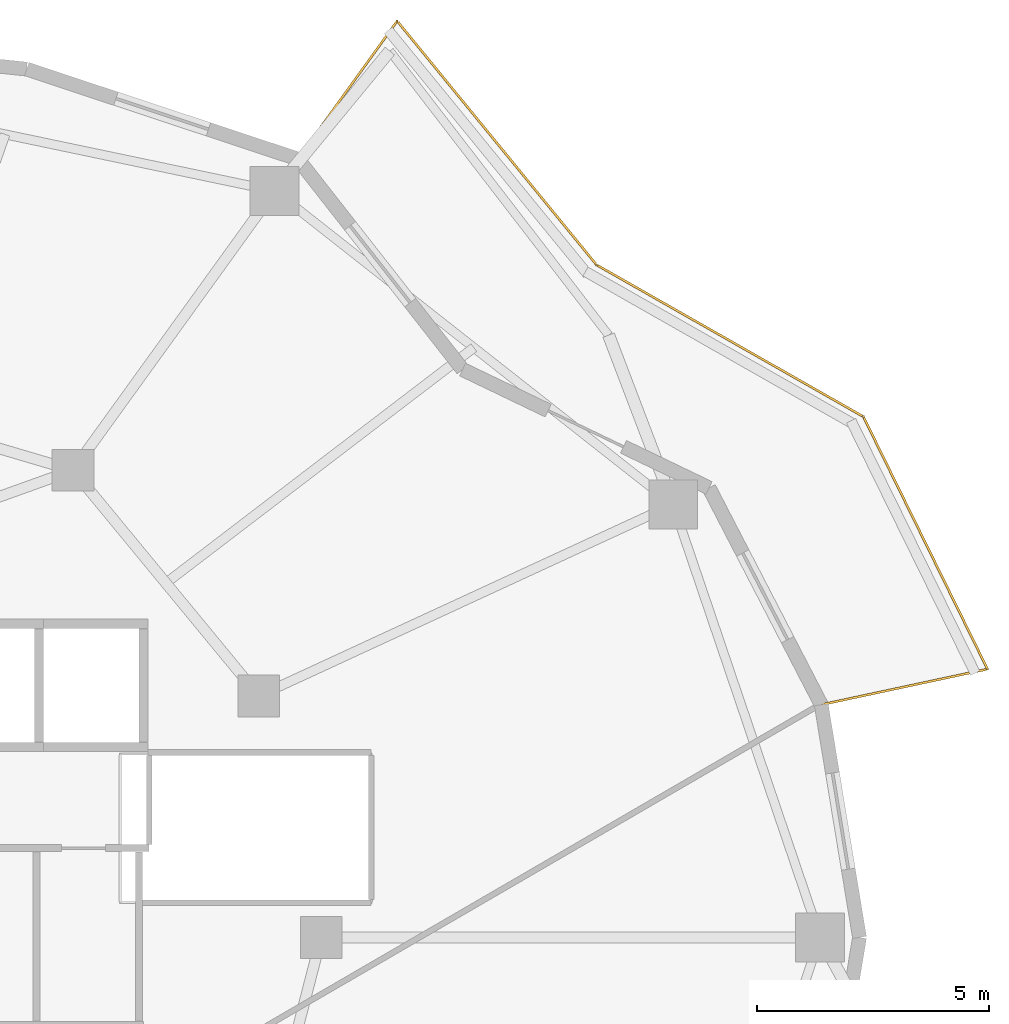
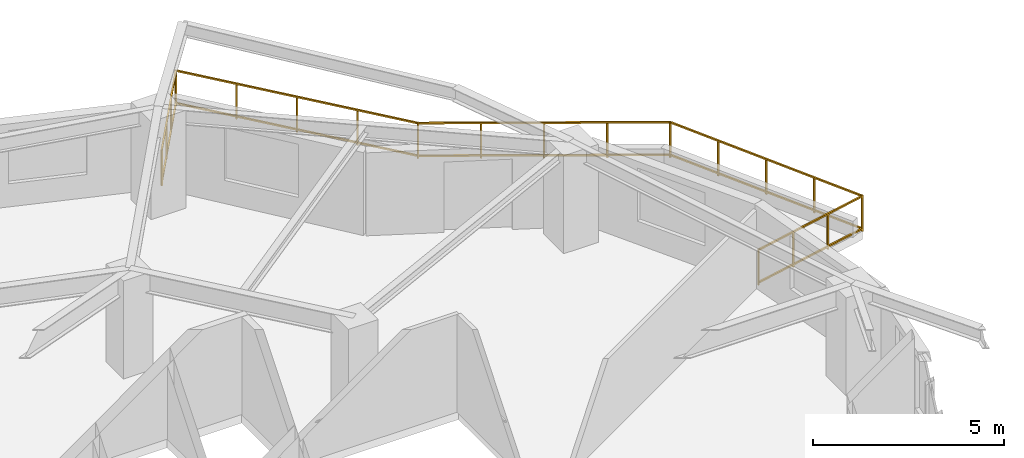
# One storey, part 14 of 14: 1 railing.
"""IFC4 building model written with IfcOpenShell, lengths in metres."""

import ifcopenshell
import ifcopenshell.guid

model = None  # the IFC model being written
_history = None  # IfcOwnerHistory: only IFC2X3 demands one
_inside = {}  # id of a spatial element -> (the spatial element, [elements in it])
_under = {}  # id of a project, library or spatial element -> (it, [spatial elements below it])
_declared = {}  # id of a project -> (the project, [libraries it declares])
_typed = {}  # id of a type object -> (the type object, [elements of that type])
_made_of = {}  # id of a material, layer set ... -> (it, [elements and type objects made of it])


def new_model(schema):
    """Start an empty IFC model of exactly this schema.

    Asked for "IFC4X3", IfcOpenShell would pick the latest addendum, in which some entities
    have other attributes; the version numbers below select the first issue.
    IFC2X3 requires an IfcOwnerHistory on every rooted entity: one is made here for all.
    """
    global model, _history
    if schema == "IFC4X3":
        model = ifcopenshell.file(schema_version=(4, 3, 0, 0))
    else:
        model = ifcopenshell.file(schema=schema)
    _inside.clear()
    _under.clear()
    _declared.clear()
    _typed.clear()
    _made_of.clear()
    _history = None
    if model.schema == "IFC2X3":
        org = make("IfcOrganization", Name="unknown")
        user = make(
            "IfcPersonAndOrganization",
            ThePerson=make("IfcPerson", FamilyName="unknown"),
            TheOrganization=org,
        )
        app = make(
            "IfcApplication",
            ApplicationDeveloper=org,
            Version="unknown",
            ApplicationFullName="unknown",
            ApplicationIdentifier="unknown",
        )
        _history = make(
            "IfcOwnerHistory",
            OwningUser=user,
            OwningApplication=app,
            ChangeAction="ADDED",
            CreationDate=0,
        )
    return model


def make(cls, **values):
    """One entity of the class cls with the attributes given. An attribute that is None is left unset."""
    return model.create_entity(
        cls, **{name: value for name, value in values.items() if value is not None}
    )


def rooted(cls, **values):
    """An entity with a GlobalId (a new one), such as an element, a storey or a relation."""
    return make(cls, GlobalId=ifcopenshell.guid.new(), OwnerHistory=_history, **values)


def si_unit(unit_type, name, prefix=None):
    """IfcSIUnit, for example si_unit("LENGTHUNIT", "METRE", prefix="MILLI")."""
    return make("IfcSIUnit", UnitType=unit_type, Prefix=prefix, Name=name)


def assignment(units):
    """IfcUnitAssignment: the units of a project."""
    return None if units is None else make("IfcUnitAssignment", Units=units)


def point(xyz):
    """IfcCartesianPoint."""
    return None if xyz is None else make("IfcCartesianPoint", Coordinates=xyz)


def direction(xyz):
    """IfcDirection."""
    return None if xyz is None else make("IfcDirection", DirectionRatios=xyz)


def frame(location, z_axis=None, x_axis=None):
    """IfcAxis2Placement3D, a coordinate frame: its origin and axes. An axis left out is left unset."""
    return make(
        "IfcAxis2Placement3D",
        Location=point(location),
        Axis=direction(z_axis),
        RefDirection=direction(x_axis),
    )


def frame_2d(location, x_axis=None):
    """IfcAxis2Placement2D, a coordinate frame in the plane: its origin and x axis."""
    return make(
        "IfcAxis2Placement2D", Location=point(location), RefDirection=direction(x_axis)
    )


def origin():
    """The frame at (0, 0, 0) with its axes left unset."""
    return frame((0.0, 0.0, 0.0))


def origin_2d():
    """The frame at (0, 0) in the plane with its x axis left unset."""
    return frame_2d((0.0, 0.0))


def place(relative_to, where):
    """IfcLocalPlacement: puts the frame where relative to a parent placement (None: the world)."""
    return make(
        "IfcLocalPlacement", PlacementRelTo=relative_to, RelativePlacement=where
    )


def context(
    kind, dimensions, precision=None, world=None, true_north=None, identifier=None
):
    """IfcGeometricRepresentationContext, for example the 3D "Model" context."""
    return make(
        "IfcGeometricRepresentationContext",
        ContextIdentifier=identifier,
        ContextType=kind,
        CoordinateSpaceDimension=dimensions,
        Precision=precision,
        WorldCoordinateSystem=world,
        TrueNorth=true_north,
    )


def subcontext(parent, identifier, kind, view, scale=None):
    """IfcGeometricRepresentationSubContext, for example "Body" below "Model"."""
    return make(
        "IfcGeometricRepresentationSubContext",
        ContextIdentifier=identifier,
        ContextType=kind,
        ParentContext=parent,
        TargetScale=scale,
        TargetView=view,
    )


def project(units=None, contexts=None):
    """IfcProject with its units and contexts."""
    return rooted(
        "IfcProject",
        Name="project",
        RepresentationContexts=contexts,
        UnitsInContext=assignment(units),
    )


def spatial(cls, under=None, at=None, **own):
    """A site, building, storey or space (cls), placed at a placement, below another one or the project."""
    s = rooted(cls, ObjectPlacement=at, **own)
    if under is not None:
        _under.setdefault(under.id(), (under, []))[1].append(s)
    return s


def profile(cls, at=None, kind="AREA", **sizes):
    """A parametric profile (cls). Its sizes go by their IFC names, for example OverallWidth=200.0."""
    return make(cls, ProfileType=kind, Position=at, **sizes)


def rectangle(**sizes):
    """IfcRectangleProfileDef."""
    return profile("IfcRectangleProfileDef", **sizes)


def extrude(swept, where, along, depth):
    """IfcExtrudedAreaSolid: the profile swept, set in the frame where, extruded along a direction by depth."""
    return make(
        "IfcExtrudedAreaSolid",
        SweptArea=swept,
        Position=where,
        ExtrudedDirection=direction(along),
        Depth=depth,
    )


def shape(context_of_items, identifier, shape_type, items):
    """IfcShapeRepresentation: the items that make up one representation, for example the "Body"."""
    return make(
        "IfcShapeRepresentation",
        ContextOfItems=context_of_items,
        RepresentationIdentifier=identifier,
        RepresentationType=shape_type,
        Items=items,
    )


def material(Name=None, Category=None):
    """IfcMaterial."""
    return make("IfcMaterial", Name=Name, Category=Category)


def made_of(thing, what):
    """Note that an element or type object is made of a material, layer set ...; save() writes the relation."""
    if what is not None:
        _made_of.setdefault(what.id(), (what, []))[1].append(thing)
    return thing


def type_object(cls, material=None, **own):
    """A type object (cls), such as IfcWallType, which elements share."""
    return made_of(rooted(cls, **own), material)


def element(
    cls,
    number,
    at=None,
    inside=None,
    cuts=None,
    type_object=None,
    material=None,
    context=None,
    identifier="Body",
    shape_type=None,
    held_by="IfcProductDefinitionShape",
    body=None,
    shapes=None,
    **own,
):
    """One element of the class cls, such as IfcWall. Its Tag is "e" and its number.

    at: its placement. inside: the storey or other place that contains it. cuts: it is an
    opening in that element (IfcRelVoidsElement). A single representation is given by context,
    identifier, shape_type and body (its items); several are given by shapes. held_by: the class
    of the entity that holds the representations. save() writes the other relations.
    """
    e = rooted(cls, Tag="e%d" % number, ObjectPlacement=at, **own)
    if body is not None:
        shapes = [shape(context, identifier, shape_type, body)]
    if shapes is not None:
        e.Representation = make(held_by, Representations=shapes)
    if inside is not None:
        _inside.setdefault(inside.id(), (inside, []))[1].append(e)
    if cuts is not None:
        rooted(
            "IfcRelVoidsElement", RelatingBuildingElement=cuts, RelatedOpeningElement=e
        )
    if type_object is not None:
        _typed.setdefault(type_object.id(), (type_object, []))[1].append(e)
    return made_of(e, material)


def aggregate(whole, parts):
    """IfcRelAggregates: a whole, such as a stair, and the parts it consists of."""
    return rooted("IfcRelAggregates", RelatingObject=whole, RelatedObjects=parts)


def save(model, path):
    """Write the relations noted so far, then the file.

    IfcRelAggregates (storeys below a building ...), IfcRelContainedInSpatialStructure (elements
    in a storey), IfcRelDefinesByType, IfcRelAssociatesMaterial and IfcRelDeclares: one each for
    every whole, place, type object, material and project.
    """
    for whole, parts in _under.values():
        aggregate(whole, parts)
    for where, things in _inside.values():
        rooted(
            "IfcRelContainedInSpatialStructure",
            RelatedElements=things,
            RelatingStructure=where,
        )
    for kind, things in _typed.values():
        rooted("IfcRelDefinesByType", RelatedObjects=things, RelatingType=kind)
    for what, things in _made_of.values():
        rooted("IfcRelAssociatesMaterial", RelatedObjects=things, RelatingMaterial=what)
    for by, libraries in _declared.values():
        rooted("IfcRelDeclares", RelatingContext=by, RelatedDefinitions=libraries)
    model.write(path)


model = new_model("IFC4")

# Units and contexts
model_context = context("Model", 3, precision=1e-05, world=origin(), true_north=direction((0.0, 1.0)))
body_context = subcontext(model_context, "Body", "Model", "MODEL_VIEW")
ifc_project = project(units=[si_unit("LENGTHUNIT", "METRE"), si_unit("AREAUNIT", "SQUARE_METRE"), si_unit("VOLUMEUNIT", "CUBIC_METRE"), si_unit("PLANEANGLEUNIT", "RADIAN"), si_unit("MASSUNIT", "GRAM", prefix="KILO")], contexts=[model_context])

# Site, building, storey
site_placement = place(None, origin())
site = spatial("IfcSite", under=ifc_project, at=site_placement, CompositionType="ELEMENT")
building_placement = place(site_placement, origin())
building = spatial("IfcBuilding", under=site, at=building_placement, Name="Kolvaren Gate Tower and Convention Centre", CompositionType="ELEMENT")
storey_placement = place(building_placement, frame((0.0, 0.0, 105.300048828125)))
storey = spatial("IfcBuildingStorey", under=building, at=storey_placement, Name="L25", CompositionType="ELEMENT", Elevation=105.300048828125)

# Railing
ifc_material = material(Name="Brushed Stainless Steel Grade 316L", Category="steel")
railing_type = type_object("IfcRailingType", Name="ARCH-RL-GUARD-1150", PredefinedType="GUARDRAIL", material=ifc_material)
railing_placement = place(storey_placement, frame((53.48828125, 32.008056640625, 0.0)))
element("IfcRailing", 1, at=railing_placement, inside=storey, type_object=railing_type, Name="Tower L25 Terrace Perimeter Guardrail GR-1", PredefinedType="GUARDRAIL", context=body_context, shape_type="SweptSolid", body=[
    extrude(rectangle(XDim=0.048095703125, YDim=0.048095703125, at=origin_2d()), frame((0.02734375, 0.005859375, 1.1259765625), z_axis=(0.977788745232, 0.209592866525, 0.0), x_axis=(-0.209592866525, 0.977788745232, 0.0)), (0.0, 0.0, 1.0), 3.603759765625),
    extrude(rectangle(XDim=0.048095703125, YDim=0.048095703125, at=origin_2d()), frame((0.02734375, 0.005859375, 0.083984375), z_axis=(0.977788745232, 0.209592866525, 0.0), x_axis=(-0.209592866525, 0.977788745232, 0.0)), (0.0, 0.0, 1.0), 3.603759765625),
    extrude(rectangle(XDim=0.048095703125, YDim=0.048095703125, at=origin_2d()), frame((3.566162109375, 0.792236328125, 1.1259765625), z_axis=(-0.441237167293, 0.897390529368, 0.0), x_axis=(-0.897390529368, -0.441237167293, 0.0)), (0.0, 0.0, 1.0), 5.999755859375),
    extrude(rectangle(XDim=0.048095703125, YDim=0.048095703125, at=origin_2d()), frame((3.566162109375, 0.792236328125, 0.083984375), z_axis=(-0.441237167293, 0.897390529368, 0.0), x_axis=(-0.897390529368, -0.441237167293, 0.0)), (0.0, 0.0, 1.0), 5.999755859375),
    extrude(rectangle(XDim=0.048095703125, YDim=0.048095703125, at=origin_2d()), frame((0.882080078125, 6.215576171875, 1.1259765625), z_axis=(-0.869196694318, 0.494466486819, 0.0), x_axis=(-0.494466486819, -0.869196694318, 0.0)), (0.0, 0.0, 1.0), 6.55029296875),
    extrude(rectangle(XDim=0.048095703125, YDim=0.048095703125, at=origin_2d()), frame((0.882080078125, 6.215576171875, 0.083984375), z_axis=(-0.869196694318, 0.494466486819, 0.0), x_axis=(-0.494466486819, -0.869196694318, 0.0)), (0.0, 0.0, 1.0), 6.55029296875),
    extrude(rectangle(XDim=0.048095703125, YDim=0.048095703125, at=origin_2d()), frame((-4.853515625, 9.489990234375, 1.1259765625), z_axis=(-0.633002467947, 0.77414977593, 0.0), x_axis=(-0.77414977593, -0.633002467947, 0.0)), (0.0, 0.0, 1.0), 6.724365234375),
    extrude(rectangle(XDim=0.048095703125, YDim=0.048095703125, at=origin_2d()), frame((-4.853515625, 9.489990234375, 0.083984375), z_axis=(-0.633002467947, 0.77414977593, 0.0), x_axis=(-0.77414977593, -0.633002467947, 0.0)), (0.0, 0.0, 1.0), 6.724365234375),
    extrude(rectangle(XDim=0.048095703125, YDim=0.048095703125, at=origin_2d()), frame((-9.14404296875, 14.694580078125, 1.1259765625), z_axis=(-0.585212870465, -0.810879705161, 0.0), x_axis=(0.810879705161, -0.585212870465, 0.0)), (0.0, 0.0, 1.0), 3.603759765625),
    extrude(rectangle(XDim=0.048095703125, YDim=0.048095703125, at=origin_2d()), frame((-9.14404296875, 14.694580078125, 0.083984375), z_axis=(-0.585212870465, -0.810879705161, 0.0), x_axis=(0.810879705161, -0.585212870465, 0.0)), (0.0, 0.0, 1.0), 3.603759765625),
    extrude(rectangle(XDim=0.0419921875, YDim=0.0419921875, at=origin_2d()), origin(), (0.0, 0.0, 1.0), 1.14990234375),
    extrude(rectangle(XDim=0.0419921875, YDim=0.0419921875, at=origin_2d()), frame((3.57861328125, 0.76708984375, 0.0)), (0.0, 0.0, 1.0), 1.14990234375),
    extrude(rectangle(XDim=0.0419921875, YDim=0.0419921875, at=origin_2d()), frame((1.19287109375, 0.255615234375, 0.0)), (0.0, 0.0, 1.0), 1.099853515625),
    extrude(rectangle(XDim=0.0419921875, YDim=0.0419921875, at=origin_2d()), frame((2.3857421875, 0.511474609375, 0.0)), (0.0, 0.0, 1.0), 1.099853515625),
    extrude(rectangle(XDim=0.0419921875, YDim=0.0419921875, at=origin_2d()), frame((0.906494140625, 6.20166015625, 0.0)), (0.0, 0.0, 1.0), 1.14990234375),
    extrude(rectangle(XDim=0.0419921875, YDim=0.0419921875, at=origin_2d()), frame((2.91064453125, 2.125732421875, 0.0)), (0.0, 0.0, 1.0), 1.099853515625),
    extrude(rectangle(XDim=0.0419921875, YDim=0.0419921875, at=origin_2d()), frame((2.24267578125, 3.484375, 0.0)), (0.0, 0.0, 1.0), 1.099853515625),
    extrude(rectangle(XDim=0.0419921875, YDim=0.0419921875, at=origin_2d()), frame((1.574462890625, 4.843017578125, 0.0)), (0.0, 0.0, 1.0), 1.099853515625),
    extrude(rectangle(XDim=0.0419921875, YDim=0.0419921875, at=origin_2d()), frame((-4.835693359375, 9.46826171875, 0.0)), (0.0, 0.0, 1.0), 1.14990234375),
    extrude(rectangle(XDim=0.0419921875, YDim=0.0419921875, at=origin_2d()), frame((-0.529052734375, 7.018310546875, 0.0)), (0.0, 0.0, 1.0), 1.099853515625),
    extrude(rectangle(XDim=0.0419921875, YDim=0.0419921875, at=origin_2d()), frame((-1.964599609375, 7.8349609375, 0.0)), (0.0, 0.0, 1.0), 1.099853515625),
    extrude(rectangle(XDim=0.0419921875, YDim=0.0419921875, at=origin_2d()), frame((-3.400146484375, 8.651611328125, 0.0)), (0.0, 0.0, 1.0), 1.099853515625),
    extrude(rectangle(XDim=0.0419921875, YDim=0.0419921875, at=origin_2d()), frame((-9.127685546875, 14.71728515625, 0.0)), (0.0, 0.0, 1.0), 1.14990234375),
    extrude(rectangle(XDim=0.0419921875, YDim=0.0419921875, at=origin_2d()), frame((-5.90869140625, 10.780517578125, 0.0)), (0.0, 0.0, 1.0), 1.099853515625),
    extrude(rectangle(XDim=0.0419921875, YDim=0.0419921875, at=origin_2d()), frame((-6.981689453125, 12.0927734375, 0.0)), (0.0, 0.0, 1.0), 1.099853515625),
    extrude(rectangle(XDim=0.0419921875, YDim=0.0419921875, at=origin_2d()), frame((-8.0546875, 13.405029296875, 0.0)), (0.0, 0.0, 1.0), 1.099853515625),
    extrude(rectangle(XDim=0.0419921875, YDim=0.0419921875, at=origin_2d()), frame((-11.26953125, 11.74951171875, 0.0)), (0.0, 0.0, 1.0), 1.14990234375),
    extrude(rectangle(XDim=0.0419921875, YDim=0.0419921875, at=origin_2d()), frame((-9.841552734375, 13.72802734375, 0.0)), (0.0, 0.0, 1.0), 1.099853515625),
    extrude(rectangle(XDim=0.0419921875, YDim=0.0419921875, at=origin_2d()), frame((-10.5556640625, 12.73876953125, 0.0)), (0.0, 0.0, 1.0), 1.099853515625),
])

save(model, "model.ifc")
